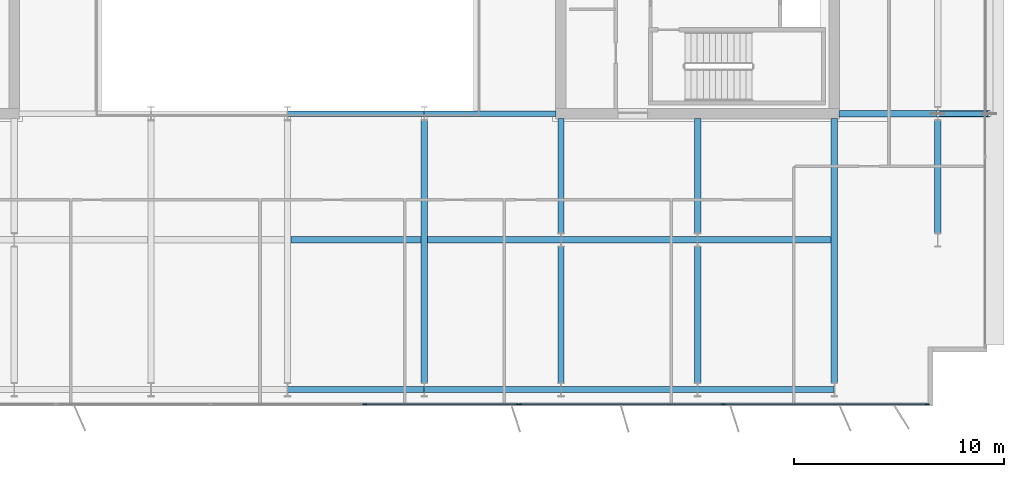
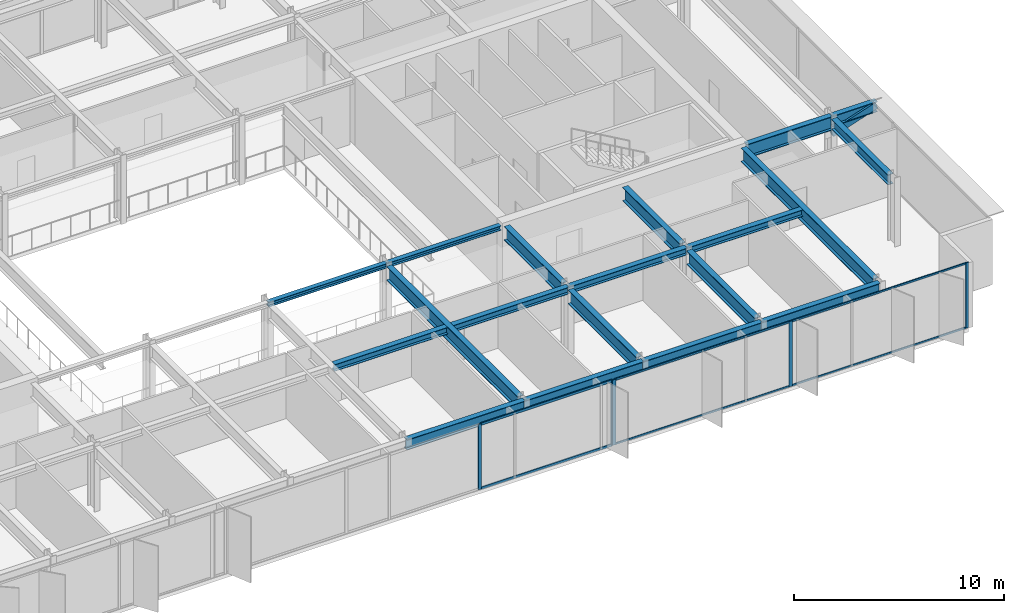
# One storey, part 6 of 21: 19 beams, 12 members, 2 elements without a shape of their own.
"""IFC4 building model written with IfcOpenShell, lengths in metres."""

from ifc_helpers import new_model, si_unit, direction, frame, origin, origin_2d, place, context, subcontext, project, spatial, rectangle, hollow_rectangle, i_section, extrude, material, layer, layer_set, material_profile, profile_set, type_object, element, aggregate, save


model = new_model("IFC4")

# Units and contexts
model_context = context("Model", 3, precision=1e-05, world=origin(), true_north=direction((0.0, 1.0)))
body_context = subcontext(model_context, "Body", "Model", "MODEL_VIEW")
ifc_project = project(units=[si_unit("LENGTHUNIT", "METRE"), si_unit("AREAUNIT", "SQUARE_METRE"), si_unit("VOLUMEUNIT", "CUBIC_METRE"), si_unit("PLANEANGLEUNIT", "RADIAN"), si_unit("MASSUNIT", "GRAM", prefix="KILO")], contexts=[model_context])

# Site, building, storey
site_placement = place(None, origin())
site = spatial("IfcSite", under=ifc_project, at=site_placement, CompositionType="ELEMENT")
building_placement = place(site_placement, origin())
building = spatial("IfcBuilding", under=site, at=building_placement, Name="Putna Gate Headquarters", CompositionType="ELEMENT")
storey_placement = place(building_placement, frame((0.0, 0.0, 278.39990234375)))
storey = spatial("IfcBuildingStorey", under=building, at=storey_placement, Name="L70", CompositionType="ELEMENT", Elevation=278.39990234375)

# Beams
ifc_material_1 = material(Name="Steel S355J2", Category="steel")
ifc_material_profile_1 = material_profile(ifc_material_1, i_section(OverallWidth=0.260009765625, OverallDepth=0.260009765625, WebThickness=0.010009765625, FlangeThickness=0.017578125, at=origin_2d()), Name="Steel S355J2")
ifc_profile_set_1 = profile_set([ifc_material_profile_1], Name="Steel S355J2")
beam_type_1 = type_object("IfcBeamType", Name="BM-ATRIUM-HEB260", PredefinedType="BEAM", material=ifc_profile_set_1)
beam_1_placement = place(storey_placement, frame((39.006103515625, 19.0, 3.658203125), z_axis=(1.0, 0.0, 0.0), x_axis=(0.0, 1.0, 0.0)))
element("IfcBeam", 1, at=beam_1_placement, inside=storey, type_object=beam_type_1, Name="L70 Atrium Edge Beam AS3", PredefinedType="BEAM", context=body_context, shape_type="SweptSolid", body=[
    extrude(i_section(OverallWidth=0.260009765625, OverallDepth=0.260009765625, WebThickness=0.010009765625, FlangeThickness=0.017578125, at=origin_2d()), origin(), (0.0, 0.0, 1.0), 6.48779296875),
])
beam_2_placement = place(storey_placement, frame((45.506103515625, 19.0, 3.658203125), z_axis=(1.0, 0.0, 0.0), x_axis=(0.0, 1.0, 0.0)))
element("IfcBeam", 2, at=beam_2_placement, inside=storey, type_object=beam_type_1, Name="L70 Atrium Edge Beam AS4", PredefinedType="BEAM", context=body_context, shape_type="SweptSolid", body=[
    extrude(i_section(OverallWidth=0.260009765625, OverallDepth=0.260009765625, WebThickness=0.010009765625, FlangeThickness=0.017578125, at=origin_2d()), origin(), (0.0, 0.0, 1.0), 6.2587890625),
])
ifc_material_profile_2 = material_profile(ifc_material_1, i_section(OverallWidth=0.300048828125, OverallDepth=0.800048828125, WebThickness=0.017578125, FlangeThickness=0.032958984375, at=origin_2d()), Name="Steel S355J2")
ifc_profile_set_2 = profile_set([ifc_material_profile_2], Name="Steel S355J2")
beam_type_2 = type_object("IfcBeamType", Name="BM-GIRD-P-HEB800", PredefinedType="USERDEFINED", material=ifc_profile_set_2)
beam_3_placement = place(storey_placement, frame((65.235107421875, 19.0, 3.38818359375), z_axis=(1.0, 0.0, 0.0), x_axis=(0.0, 1.0, 0.0)))
element("IfcBeam", 3, at=beam_3_placement, inside=storey, type_object=beam_type_2, Name="L70 East Wing Girder Y19", ObjectType="GIRDER", PredefinedType="USERDEFINED", context=body_context, shape_type="SweptSolid", body=[
    extrude(i_section(OverallWidth=0.300048828125, OverallDepth=0.800048828125, WebThickness=0.017578125, FlangeThickness=0.032958984375, at=origin_2d()), origin(), (0.0, 0.0, 1.0), 4.678955078125),
])
beam_4_placement = place(storey_placement, frame((45.5, 6.201904296875, 3.38818359375), z_axis=(0.0, 1.0, 0.0), x_axis=(-1.0, 0.0, 0.0)))
element("IfcBeam", 4, at=beam_4_placement, inside=storey, type_object=beam_type_2, Name="L70 South Primary Girder X45", ObjectType="GIRDER", PredefinedType="USERDEFINED", context=body_context, shape_type="SweptSolid", body=[
    extrude(i_section(OverallWidth=0.300048828125, OverallDepth=0.800048828125, WebThickness=0.017578125, FlangeThickness=0.032958984375, at=origin_2d()), origin(), (0.0, 0.0, 1.0), 12.47607421875),
])
beam_5_placement = place(storey_placement, frame((52.0, 6.201904296875, 3.38818359375), z_axis=(0.0, 1.0, 0.0), x_axis=(-1.0, 0.0, 0.0)))
element("IfcBeam", 5, at=beam_5_placement, inside=storey, type_object=beam_type_2, Name="L70 South Primary Girder X52-1", ObjectType="GIRDER", PredefinedType="USERDEFINED", context=body_context, shape_type="SweptSolid", body=[
    extrude(i_section(OverallWidth=0.300048828125, OverallDepth=0.800048828125, WebThickness=0.017578125, FlangeThickness=0.032958984375, at=origin_2d()), origin(), (0.0, 0.0, 1.0), 6.47607421875),
])
beam_6_placement = place(storey_placement, frame((52.0, 13.322021484375, 3.38818359375), z_axis=(0.0, 1.0, 0.0), x_axis=(-1.0, 0.0, 0.0)))
element("IfcBeam", 6, at=beam_6_placement, inside=storey, type_object=beam_type_2, Name="L70 South Primary Girder X52-2", ObjectType="GIRDER", PredefinedType="USERDEFINED", context=body_context, shape_type="SweptSolid", body=[
    extrude(i_section(OverallWidth=0.300048828125, OverallDepth=0.800048828125, WebThickness=0.017578125, FlangeThickness=0.032958984375, at=origin_2d()), origin(), (0.0, 0.0, 1.0), 5.44287109375),
])
beam_7_placement = place(storey_placement, frame((58.5, 6.201904296875, 3.38818359375), z_axis=(0.0, 1.0, 0.0), x_axis=(-1.0, 0.0, 0.0)))
element("IfcBeam", 7, at=beam_7_placement, inside=storey, type_object=beam_type_2, Name="L70 South Primary Girder X58-1", ObjectType="GIRDER", PredefinedType="USERDEFINED", context=body_context, shape_type="SweptSolid", body=[
    extrude(i_section(OverallWidth=0.300048828125, OverallDepth=0.800048828125, WebThickness=0.017578125, FlangeThickness=0.032958984375, at=origin_2d()), origin(), (0.0, 0.0, 1.0), 6.47607421875),
])
beam_8_placement = place(storey_placement, frame((58.5, 13.322021484375, 3.38818359375), z_axis=(0.0, 1.0, 0.0), x_axis=(-1.0, 0.0, 0.0)))
element("IfcBeam", 8, at=beam_8_placement, inside=storey, type_object=beam_type_2, Name="L70 South Primary Girder X58-2", ObjectType="GIRDER", PredefinedType="USERDEFINED", context=body_context, shape_type="SweptSolid", body=[
    extrude(i_section(OverallWidth=0.300048828125, OverallDepth=0.800048828125, WebThickness=0.017578125, FlangeThickness=0.032958984375, at=origin_2d()), origin(), (0.0, 0.0, 1.0), 5.44287109375),
])
beam_9_placement = place(storey_placement, frame((65.0, 6.201904296875, 3.38818359375), z_axis=(0.0, 1.0, 0.0), x_axis=(-1.0, 0.0, 0.0)))
element("IfcBeam", 9, at=beam_9_placement, inside=storey, type_object=beam_type_2, Name="L70 South Primary Girder X65", ObjectType="GIRDER", PredefinedType="USERDEFINED", context=body_context, shape_type="SweptSolid", body=[
    extrude(i_section(OverallWidth=0.300048828125, OverallDepth=0.800048828125, WebThickness=0.017578125, FlangeThickness=0.032958984375, at=origin_2d()), origin(), (0.0, 0.0, 1.0), 12.56298828125),
])
ifc_material_profile_3 = material_profile(ifc_material_1, i_section(OverallWidth=0.300048828125, OverallDepth=0.60009765625, WebThickness=0.015380859375, FlangeThickness=0.030029296875, at=origin_2d()), Name="Steel S355J2")
ifc_profile_set_3 = profile_set([ifc_material_profile_3], Name="Steel S355J2")
beam_type_3 = type_object("IfcBeamType", Name="BM-GIRD-SAIL-HEB600", PredefinedType="USERDEFINED", material=ifc_profile_set_3)
beam_10_placement = place(storey_placement, frame((69.926025390625, 19.0, 3.488037109375), z_axis=(1.0, 0.0, 0.0), x_axis=(0.0, 1.0, 0.0)))
element("IfcBeam", 10, at=beam_10_placement, inside=storey, type_object=beam_type_3, Name="L70 East Sail Outrigger Bracket Y19", ObjectType="GIRDER", PredefinedType="USERDEFINED", context=body_context, shape_type="SweptSolid", body=[
    extrude(i_section(OverallWidth=0.300048828125, OverallDepth=0.60009765625, WebThickness=0.015380859375, FlangeThickness=0.030029296875, at=origin_2d()), origin(), (0.0, 0.0, 1.0), 2.472900390625),
])
ifc_material_profile_4 = material_profile(ifc_material_1, i_section(OverallWidth=0.300048828125, OverallDepth=0.389892578125, WebThickness=0.010986328125, FlangeThickness=0.01904296875, at=origin_2d()), Name="Steel S355J2")
ifc_profile_set_4 = profile_set([ifc_material_profile_4], Name="Steel S355J2")
beam_type_4 = type_object("IfcBeamType", Name="BM-SEC-Z5-HEA400", PredefinedType="BEAM", material=ifc_profile_set_4)
beam_11_placement = place(storey_placement, frame((39.154052734375, 13.0, 3.593017578125), z_axis=(1.0, 0.0, 0.0), x_axis=(0.0, 1.0, 0.0)))
element("IfcBeam", 11, at=beam_11_placement, inside=storey, type_object=beam_type_4, Name="L70 South Secondary Beam 5", PredefinedType="BEAM", context=body_context, shape_type="SweptSolid", body=[
    extrude(i_section(OverallWidth=0.300048828125, OverallDepth=0.389892578125, WebThickness=0.010986328125, FlangeThickness=0.01904296875, at=origin_2d()), origin(), (0.0, 0.0, 1.0), 6.19189453125),
])
beam_12_placement = place(storey_placement, frame((45.654052734375, 13.0, 3.593017578125), z_axis=(1.0, 0.0, 0.0), x_axis=(0.0, 1.0, 0.0)))
element("IfcBeam", 12, at=beam_12_placement, inside=storey, type_object=beam_type_4, Name="L70 South Secondary Beam 6", PredefinedType="BEAM", context=body_context, shape_type="SweptSolid", body=[
    extrude(i_section(OverallWidth=0.300048828125, OverallDepth=0.389892578125, WebThickness=0.010986328125, FlangeThickness=0.01904296875, at=origin_2d()), origin(), (0.0, 0.0, 1.0), 6.33984375),
])
beam_13_placement = place(storey_placement, frame((52.006103515625, 13.0, 3.593017578125), z_axis=(1.0, 0.0, 0.0), x_axis=(0.0, 1.0, 0.0)))
element("IfcBeam", 13, at=beam_13_placement, inside=storey, type_object=beam_type_4, Name="L70 South Secondary Beam 7", PredefinedType="BEAM", context=body_context, shape_type="SweptSolid", body=[
    extrude(i_section(OverallWidth=0.300048828125, OverallDepth=0.389892578125, WebThickness=0.010986328125, FlangeThickness=0.01904296875, at=origin_2d()), origin(), (0.0, 0.0, 1.0), 6.48779296875),
])
beam_14_placement = place(storey_placement, frame((58.506103515625, 13.0, 3.593017578125), z_axis=(1.0, 0.0, 0.0), x_axis=(0.0, 1.0, 0.0)))
element("IfcBeam", 14, at=beam_14_placement, inside=storey, type_object=beam_type_4, Name="L70 South Secondary Beam 8", PredefinedType="BEAM", context=body_context, shape_type="SweptSolid", body=[
    extrude(i_section(OverallWidth=0.300048828125, OverallDepth=0.389892578125, WebThickness=0.010986328125, FlangeThickness=0.01904296875, at=origin_2d()), origin(), (0.0, 0.0, 1.0), 6.33984375),
])
ifc_material_profile_5 = material_profile(ifc_material_1, i_section(OverallWidth=0.300048828125, OverallDepth=0.590087890625, WebThickness=0.012939453125, FlangeThickness=0.02490234375, at=origin_2d()), Name="Steel S355J2")
ifc_profile_set_5 = profile_set([ifc_material_profile_5], Name="Steel S355J2")
beam_type_5 = type_object("IfcBeamType", Name="BM-SPAN-Z4-HEA600", PredefinedType="SPANDREL", material=ifc_profile_set_5)
for number, where, z_axis, x_axis, name in (
    (15, (39.006103515625, 5.8798828125, 3.4931640625), (1.0, 0.0, 0.0), (0.0, 1.0, 0.0), "L70 S Perimeter Spandrel 5"),
    (16, (45.506103515625, 5.8798828125, 3.4931640625), (1.0, 0.0, 0.0), (0.0, 1.0, 0.0), "L70 S Perimeter Spandrel 6"),
    (17, (52.006103515625, 5.8798828125, 3.4931640625), (1.0, 0.0, 0.0), (0.0, 1.0, 0.0), "L70 S Perimeter Spandrel 7"),
    (18, (58.506103515625, 5.8798828125, 3.4931640625), (1.0, 0.0, 0.0), (0.0, 1.0, 0.0), "L70 S Perimeter Spandrel 8"),
):
    element("IfcBeam", number, at=place(storey_placement, frame(where, z_axis=z_axis, x_axis=x_axis)), inside=storey, type_object=beam_type_5, Name=name, PredefinedType="SPANDREL", context=body_context, shape_type="SweptSolid", body=[
        extrude(i_section(OverallWidth=0.300048828125, OverallDepth=0.590087890625, WebThickness=0.012939453125, FlangeThickness=0.02490234375, at=origin_2d()), origin(), (0.0, 0.0, 1.0), 6.48779296875),
    ])
beam_15_placement = place(storey_placement, frame((69.919921875, 13.322021484375, 3.4931640625), z_axis=(0.0, 1.0, 0.0), x_axis=(-1.0, 0.0, 0.0)))
element("IfcBeam", 19, at=beam_15_placement, inside=storey, type_object=beam_type_5, Name="L70 E End Spandrel 1", PredefinedType="SPANDREL", context=body_context, shape_type="SweptSolid", body=[
    extrude(i_section(OverallWidth=0.300048828125, OverallDepth=0.590087890625, WebThickness=0.012939453125, FlangeThickness=0.02490234375, at=origin_2d()), origin(), (0.0, 0.0, 1.0), 5.35595703125),
])

# Member
ifc_material_2 = material(Name="Steel S460M", Category="steel")
ifc_material_profile_6 = material_profile(ifc_material_2, hollow_rectangle(XDim=0.25, YDim=0.39990234375, WallThickness=0.01611328125, at=origin_2d()), Name="Steel S460M")
ifc_profile_set_6 = profile_set([ifc_material_profile_6], Name="Steel S460M")
member_type_1 = type_object("IfcMemberType", Name="MEM-SAIL-BRACE-RHS400", PredefinedType="BRACE", material=ifc_profile_set_6)
member_1_placement = place(storey_placement, frame((69.93408203125, 19.0, 2.75634765625), z_axis=(0.949441853319, 0.0, 0.313942936163), x_axis=(0.0, 1.0, 0.0)))
element("IfcMember", 20, at=member_1_placement, inside=storey, type_object=member_type_1, Name="L70 East Sail Cantilever Raker Y19", PredefinedType="BRACE", context=body_context, shape_type="SweptSolid", body=[
    extrude(hollow_rectangle(XDim=0.25, YDim=0.39990234375, WallThickness=0.01611328125, at=origin_2d()), origin(), (0.0, 0.0, 1.0), 2.5654296875),
])

# Curtain wall, members
ifc_material_3 = material(Name="Anodised bronze aluminium curtain wall", Category="aluminium")
ifc_layer_1 = layer(ifc_material_3, 0.179931640625)
ifc_layer_set_1 = layer_set([ifc_layer_1], Name="Anodised bronze aluminium curtain wall")
curtain_wall_type_1 = type_object("IfcCurtainWallType", Name="CW-SYS-Z5", PredefinedType="USERDEFINED", material=ifc_layer_set_1)
curtain_wall_1_placement = place(storey_placement, origin())
curtain_wall_1 = element("IfcCurtainWall", 21, at=curtain_wall_1_placement, inside=storey, type_object=curtain_wall_type_1, Name="L70 South East Curtain Wall", ObjectType="STICK CURTAIN WALL", PredefinedType="USERDEFINED")
ifc_material_4 = material(Name="Anodised bronze aluminium EN AW-6060", Category="aluminium")
ifc_material_profile_7 = material_profile(ifc_material_4, rectangle(XDim=0.070068359375, YDim=0.179931640625, at=origin_2d()), Name="Anodised bronze aluminium EN AW-6060")
ifc_profile_set_7 = profile_set([ifc_material_profile_7], Name="Anodised bronze aluminium EN AW-6060")
member_type_2 = type_object("IfcMemberType", Name="MULL-CWM-5", PredefinedType="MULLION", material=ifc_profile_set_7)
member_2_placement = place(storey_placement, frame((50.034912109375, 5.179931640625, 0.0), z_axis=(0.0, 0.0, 1.0), x_axis=(0.0, 1.0, 0.0)))
member_2 = element("IfcMember", 22, at=member_2_placement, type_object=member_type_2, Name="CWS-5 mullion 1", PredefinedType="MULLION", context=body_context, shape_type="SweptSolid", body=[
    extrude(rectangle(XDim=0.070068359375, YDim=0.179931640625, at=origin_2d()), origin(), (0.0, 0.0, 1.0), 3.7880859375),
])
member_3_placement = place(storey_placement, frame((59.7255859375, 5.179931640625, 0.0), z_axis=(0.0, 0.0, 1.0), x_axis=(0.0, 1.0, 0.0)))
member_3 = element("IfcMember", 23, at=member_3_placement, type_object=member_type_2, Name="CWS-5 mullion 2", PredefinedType="MULLION", context=body_context, shape_type="SweptSolid", body=[
    extrude(rectangle(XDim=0.070068359375, YDim=0.179931640625, at=origin_2d()), origin(), (0.0, 0.0, 1.0), 3.7880859375),
])
member_4_placement = place(storey_placement, frame((69.416015625, 5.179931640625, 0.0), z_axis=(0.0, 0.0, 1.0), x_axis=(0.0, 1.0, 0.0)))
member_4 = element("IfcMember", 24, at=member_4_placement, type_object=member_type_2, Name="CWS-5 mullion 3", PredefinedType="MULLION", context=body_context, shape_type="SweptSolid", body=[
    extrude(rectangle(XDim=0.070068359375, YDim=0.179931640625, at=origin_2d()), origin(), (0.0, 0.0, 1.0), 3.7880859375),
])

ifc_layer_2 = layer(ifc_material_3, 0.179931640625)
ifc_layer_set_2 = layer_set([ifc_layer_2], Name="Anodised bronze aluminium curtain wall")
curtain_wall_type_2 = type_object("IfcCurtainWallType", Name="CW-SYS-ATR", PredefinedType="USERDEFINED", material=ifc_layer_set_2)
curtain_wall_2_placement = place(storey_placement, origin())
curtain_wall_2 = element("IfcCurtainWall", 25, at=curtain_wall_2_placement, inside=storey, type_object=curtain_wall_type_2, Name="L70 South Atrium Clear Glazing", ObjectType="ATRIUM GLAZING", PredefinedType="USERDEFINED")
ifc_material_profile_8 = material_profile(ifc_material_4, rectangle(XDim=0.070068359375, YDim=0.179931640625, at=origin_2d()), Name="Anodised bronze aluminium EN AW-6060")
ifc_profile_set_8 = profile_set([ifc_material_profile_8], Name="Anodised bronze aluminium EN AW-6060")
member_type_3 = type_object("IfcMemberType", Name="MULL-CWM-AT", PredefinedType="MULLION", material=ifc_profile_set_8)
member_5_placement = place(storey_placement, frame((42.666748046875, 5.179931640625, 0.0), z_axis=(0.0, 0.0, 1.0), x_axis=(0.0, 1.0, 0.0)))
member_5 = element("IfcMember", 26, at=member_5_placement, type_object=member_type_3, Name="CWS-AT mullion 3", PredefinedType="MULLION", context=body_context, shape_type="SweptSolid", body=[
    extrude(rectangle(XDim=0.070068359375, YDim=0.179931640625, at=origin_2d()), origin(), (0.0, 0.0, 1.0), 3.7880859375),
])
member_6_placement = place(storey_placement, frame((49.965087890625, 5.179931640625, 0.0), z_axis=(0.0, 0.0, 1.0), x_axis=(0.0, 1.0, 0.0)))
member_6 = element("IfcMember", 27, at=member_6_placement, type_object=member_type_3, Name="CWS-AT mullion 4", PredefinedType="MULLION", context=body_context, shape_type="SweptSolid", body=[
    extrude(rectangle(XDim=0.070068359375, YDim=0.179931640625, at=origin_2d()), origin(), (0.0, 0.0, 1.0), 3.7880859375),
])

# Member
ifc_material_profile_9 = material_profile(ifc_material_4, rectangle(XDim=0.06005859375, YDim=0.10009765625, at=origin_2d()), Name="Anodised bronze aluminium EN AW-6060")
ifc_profile_set_9 = profile_set([ifc_material_profile_9], Name="Anodised bronze aluminium EN AW-6060")
member_type_4 = type_object("IfcMemberType", Name="TRAN-CWT-5", PredefinedType="USERDEFINED", material=ifc_profile_set_9)
member_7_placement = place(storey_placement, frame((50.070068359375, 5.179931640625, 0.030029296875), z_axis=(1.0, 0.0, 0.0), x_axis=(0.0, 1.0, 0.0)))
member_7 = element("IfcMember", 28, at=member_7_placement, type_object=member_type_4, Name="CWS-5 transom 1.1", ObjectType="TRANSOM", PredefinedType="USERDEFINED", context=body_context, shape_type="SweptSolid", body=[
    extrude(rectangle(XDim=0.06005859375, YDim=0.10009765625, at=origin_2d()), origin(), (0.0, 0.0, 1.0), 9.620361328125),
])

member_8_placement = place(storey_placement, frame((50.070068359375, 5.179931640625, 3.758056640625), z_axis=(1.0, 0.0, 0.0), x_axis=(0.0, 1.0, 0.0)))
member_8 = element("IfcMember", 29, at=member_8_placement, type_object=member_type_4, Name="CWS-5 transom 1.2", ObjectType="TRANSOM", PredefinedType="USERDEFINED", context=body_context, shape_type="SweptSolid", body=[
    extrude(rectangle(XDim=0.06005859375, YDim=0.10009765625, at=origin_2d()), origin(), (0.0, 0.0, 1.0), 9.620361328125),
])

member_9_placement = place(storey_placement, frame((59.760498046875, 5.179931640625, 0.030029296875), z_axis=(1.0, 0.0, 0.0), x_axis=(0.0, 1.0, 0.0)))
member_9 = element("IfcMember", 30, at=member_9_placement, type_object=member_type_4, Name="CWS-5 transom 2.1", ObjectType="TRANSOM", PredefinedType="USERDEFINED", context=body_context, shape_type="SweptSolid", body=[
    extrude(rectangle(XDim=0.06005859375, YDim=0.10009765625, at=origin_2d()), origin(), (0.0, 0.0, 1.0), 9.62060546875),
])

member_10_placement = place(storey_placement, frame((59.760498046875, 5.179931640625, 3.758056640625), z_axis=(1.0, 0.0, 0.0), x_axis=(0.0, 1.0, 0.0)))
member_10 = element("IfcMember", 31, at=member_10_placement, type_object=member_type_4, Name="CWS-5 transom 2.2", ObjectType="TRANSOM", PredefinedType="USERDEFINED", context=body_context, shape_type="SweptSolid", body=[
    extrude(rectangle(XDim=0.06005859375, YDim=0.10009765625, at=origin_2d()), origin(), (0.0, 0.0, 1.0), 9.62060546875),
])

aggregate(curtain_wall_1, [member_2, member_3, member_4, member_7, member_8, member_9, member_10])

ifc_material_profile_10 = material_profile(ifc_material_4, rectangle(XDim=0.070068359375, YDim=0.139892578125, at=origin_2d()), Name="Anodised bronze aluminium EN AW-6060")
ifc_profile_set_10 = profile_set([ifc_material_profile_10], Name="Anodised bronze aluminium EN AW-6060")
member_type_5 = type_object("IfcMemberType", Name="TRAN-CWT-AT", PredefinedType="USERDEFINED", material=ifc_profile_set_10)
member_11_placement = place(storey_placement, frame((42.70166015625, 5.179931640625, 0.03515625), z_axis=(1.0, 0.0, 0.0), x_axis=(0.0, 1.0, 0.0)))
member_11 = element("IfcMember", 32, at=member_11_placement, type_object=member_type_5, Name="CWS-AT transom 3.1", ObjectType="TRANSOM", PredefinedType="USERDEFINED", context=body_context, shape_type="SweptSolid", body=[
    extrude(rectangle(XDim=0.070068359375, YDim=0.139892578125, at=origin_2d()), origin(), (0.0, 0.0, 1.0), 7.228271484375),
])

member_12_placement = place(storey_placement, frame((42.70166015625, 5.179931640625, 3.753173828125), z_axis=(1.0, 0.0, 0.0), x_axis=(0.0, 1.0, 0.0)))
member_12 = element("IfcMember", 33, at=member_12_placement, type_object=member_type_5, Name="CWS-AT transom 3.2", ObjectType="TRANSOM", PredefinedType="USERDEFINED", context=body_context, shape_type="SweptSolid", body=[
    extrude(rectangle(XDim=0.070068359375, YDim=0.139892578125, at=origin_2d()), origin(), (0.0, 0.0, 1.0), 7.228271484375),
])

aggregate(curtain_wall_2, [member_5, member_6, member_11, member_12])

save(model, "model.ifc")
